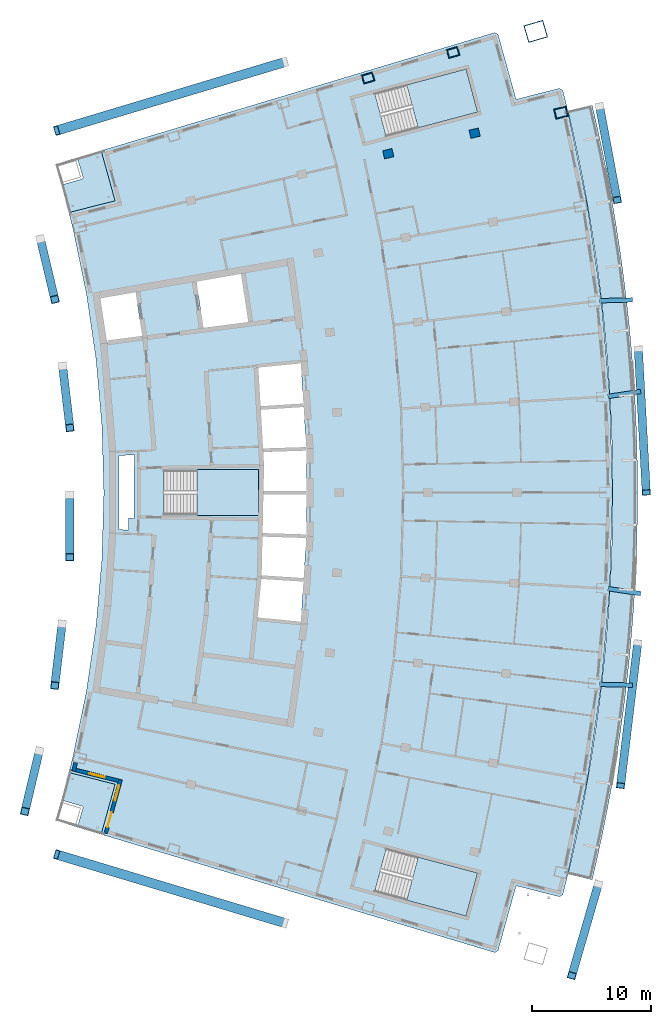
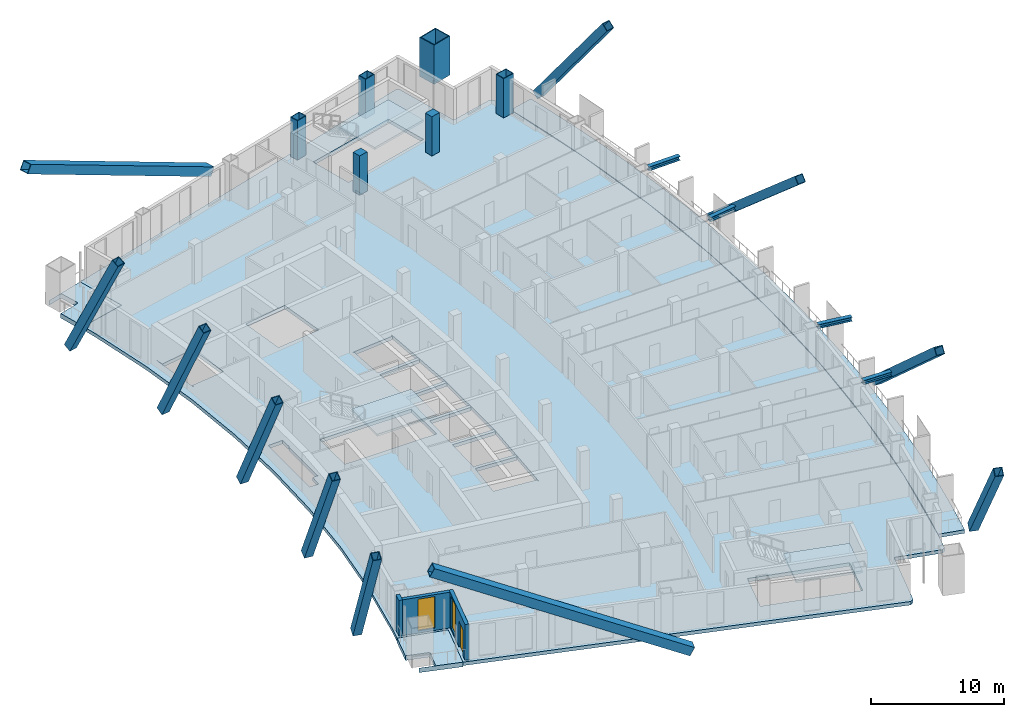
# One storey, part 8 of 19: 15 members, 7 slabs, 6 columns, 3 walls, 2 windows, 1 door, 3 openings, 3 elements without a shape of their own.
"""IFC4 building model written with IfcOpenShell, lengths in metres."""

from ifc_helpers import new_model, si_unit, direction, frame, frame_2d, origin, origin_2d, place, context, subcontext, project, spatial, polyline, rectangle, hollow_rectangle, i_section, outline, extrude, material, layer, layer_set, material_profile, profile_set, type_object, element, fill, aggregate, save


model = new_model("IFC4")

# Units and contexts
model_context = context("Model", 3, precision=1e-05, world=origin(), true_north=direction((0.0, 1.0)))
body_context = subcontext(model_context, "Body", "Model", "MODEL_VIEW")
ifc_project = project(units=[si_unit("LENGTHUNIT", "METRE"), si_unit("AREAUNIT", "SQUARE_METRE"), si_unit("VOLUMEUNIT", "CUBIC_METRE"), si_unit("PLANEANGLEUNIT", "RADIAN"), si_unit("MASSUNIT", "GRAM", prefix="KILO")], contexts=[model_context])

# Site, building, storey
site_placement = place(None, origin())
site = spatial("IfcSite", under=ifc_project, at=site_placement, CompositionType="ELEMENT")
building_placement = place(site_placement, origin())
building = spatial("IfcBuilding", under=site, at=building_placement, Name="Alderwake Tower", CompositionType="ELEMENT")
storey_placement = place(building_placement, frame((0.0, 0.0, 200.0)))
storey = spatial("IfcBuildingStorey", under=building, at=storey_placement, Name="L49", CompositionType="ELEMENT", Elevation=200.0)

# Columns
ifc_material_1 = material(Name="Steel ASTM A572 Grade 50 concrete filled C70/85", Category="concrete")
ifc_material_profile_1 = material_profile(ifc_material_1, hollow_rectangle(XDim=0.75, YDim=0.949951171875, WallThickness=0.054931640625, at=origin_2d()), Name="BOX 950X750X55")
ifc_profile_set_1 = profile_set([ifc_material_profile_1], Name="Steel ASTM A572 Grade 50 concrete filled C70/85")
column_type_1 = type_object("IfcColumnType", Name="End column Z4", PredefinedType="COLUMN", material=ifc_profile_set_1)
for number, where, z_axis, x_axis, name in (
    (1, (38.231689453125, 95.8701171875, 0.0), (0.0, 0.0, 1.0), (-0.282883890943, 0.959154160834, 0.0), "Column R12-C3"),
    (2, (45.383056640625, 98.01708984375, 0.0), (0.0, 0.0, 1.0), (-0.283150052378, 0.959075621543, 0.0), "Column R12-C4"),
):
    element("IfcColumn", number, at=place(storey_placement, frame(where, z_axis=z_axis, x_axis=x_axis)), inside=storey, type_object=column_type_1, Name=name, PredefinedType="COLUMN", context=body_context, shape_type="SweptSolid", body=[
        extrude(hollow_rectangle(XDim=0.75, YDim=0.949951171875, WallThickness=0.054931640625, at=origin_2d()), origin(), (0.0, 0.0, 1.0), 3.60009765625),
    ])
ifc_material_2 = material(Name="Concrete C70/85", Category="concrete")
ifc_material_profile_2 = material_profile(ifc_material_2, rectangle(XDim=0.699951171875, YDim=0.800048828125, at=origin_2d()), Name="RC 800X700")
ifc_profile_set_2 = profile_set([ifc_material_profile_2], Name="Concrete C70/85")
column_type_2 = type_object("IfcColumnType", Name="Interior column Z4", PredefinedType="COLUMN", material=ifc_profile_set_2)
for number, where, z_axis, x_axis, name in (
    (3, (39.92626953125, 89.501953125, 0.0), (0.0, 0.0, 1.0), (-0.231221547198, 0.972901123502, 0.0), "Column R11-C3"),
    (4, (47.190673828125, 91.228515625, 0.0), (0.0, 0.0, 1.0), (-0.231221547198, 0.972901123502, 0.0), "Column R11-C4"),
):
    element("IfcColumn", number, at=place(storey_placement, frame(where, z_axis=z_axis, x_axis=x_axis)), inside=storey, type_object=column_type_2, Name=name, PredefinedType="COLUMN", context=body_context, shape_type="SweptSolid", body=[
        extrude(rectangle(XDim=0.699951171875, YDim=0.800048828125, at=origin_2d()), origin(), (0.0, 0.0, 1.0), 3.60009765625),
    ])
ifc_material_3 = material(Name="Steel ASTM A572 Grade 50 concrete filled C70/85", Category="concrete")
ifc_material_profile_3 = material_profile(ifc_material_3, hollow_rectangle(XDim=1.5, YDim=1.699951171875, WallThickness=0.074951171875, at=origin_2d()), Name="BOX 1700X1500X75")
ifc_profile_set_3 = profile_set([ifc_material_profile_3], Name="Steel ASTM A572 Grade 50 concrete filled C70/85")
column_type_3 = type_object("IfcColumnType", Name="Mega column Z4", PredefinedType="COLUMN", material=ifc_profile_set_3)
column_1_placement = place(storey_placement, frame((52.331298828125, 99.7919921875, 0.0), z_axis=(0.0, 0.0, 1.0), x_axis=(-0.281304888972, 0.959618444717, 0.0)))
element("IfcColumn", 5, at=column_1_placement, inside=storey, type_object=column_type_3, Name="Column R12-C5", PredefinedType="COLUMN", context=body_context, shape_type="SweptSolid", body=[
    extrude(hollow_rectangle(XDim=1.5, YDim=1.699951171875, WallThickness=0.074951171875, at=origin_2d()), origin(), (0.0, 0.0, 1.0), 3.60009765625),
])
ifc_material_4 = material(Name="Steel ASTM A572 Grade 50 concrete filled C70/85", Category="concrete")
ifc_material_profile_4 = material_profile(ifc_material_4, hollow_rectangle(XDim=0.85009765625, YDim=1.050048828125, WallThickness=0.054931640625, at=origin_2d()), Name="BOX 1050X850X55")
ifc_profile_set_4 = profile_set([ifc_material_profile_4], Name="Steel ASTM A572 Grade 50 concrete filled C70/85")
column_type_4 = type_object("IfcColumnType", Name="Perimeter column Z4", PredefinedType="COLUMN", material=ifc_profile_set_4)
column_2_placement = place(storey_placement, frame((54.454833984375, 92.954833984375, 0.0), z_axis=(0.0, 0.0, 1.0), x_axis=(-0.231221547198, 0.972901123502, 0.0)))
element("IfcColumn", 6, at=column_2_placement, inside=storey, type_object=column_type_4, Name="Column R11-C5", PredefinedType="COLUMN", context=body_context, shape_type="SweptSolid", body=[
    extrude(hollow_rectangle(XDim=0.85009765625, YDim=1.050048828125, WallThickness=0.054931640625, at=origin_2d()), origin(), (0.0, 0.0, 1.0), 3.60009765625),
])

# Members
ifc_material_5 = material(Name="Steel ASTM A992 Grade 50", Category="steel")
ifc_material_profile_5 = material_profile(ifc_material_5, i_section(OverallWidth=0.3740234375, OverallDepth=0.372314453125, WebThickness=0.016357421875, FlangeThickness=0.026123046875, at=origin_2d()), Name="W14X132")
ifc_profile_set_5 = profile_set([ifc_material_profile_5], Name="Steel ASTM A992 Grade 50")
member_type_1 = type_object("IfcMemberType", Name="Brace node stub W14X132", PredefinedType="MEMBER", material=ifc_profile_set_5)
for number, where, z_axis, x_axis, name in (
    (7, (58.43896484375, 52.912109375, 3.393798828125), (0.988559666565, -0.150830320693, 0.0), (0.150830320693, 0.988559666565, 0.0), "Brace node stub BS.FR06-C5.2036"),
    (8, (57.732666015625, 44.861083984375, 3.393798828125), (0.999721478881, -0.023600098809, 0.0), (0.023600098809, 0.999721478881, 0.0), "Brace node stub BS.FR05-C5.2036"),
    (9, (57.732666015625, 77.138916015625, 3.393798828125), (0.999721478881, 0.023600098809, 0.0), (-0.023600098809, 0.999721478881, 0.0), "Brace node stub BS.FR09-C5.2036"),
    (10, (58.43896484375, 69.087890625, 3.393798828125), (0.988559666565, 0.150830320693, 0.0), (-0.150830320693, 0.988559666565, 0.0), "Brace node stub BS.FR08-C5.2036"),
):
    element("IfcMember", number, at=place(storey_placement, frame(where, z_axis=z_axis, x_axis=x_axis)), inside=storey, type_object=member_type_1, Name=name, PredefinedType="MEMBER", context=body_context, shape_type="SweptSolid", body=[
        extrude(i_section(OverallWidth=0.3740234375, OverallDepth=0.372314453125, WebThickness=0.016357421875, FlangeThickness=0.026123046875, at=origin_2d()), origin(), (0.0, 0.0, 1.0), 2.751708984375),
    ])
ifc_material_6 = material(Name="Steel ASTM A572 Grade 50", Category="steel")
ifc_material_profile_6 = material_profile(ifc_material_6, hollow_rectangle(XDim=0.800048828125, YDim=0.800048828125, WallThickness=0.050048828125, at=origin_2d()), Name="BOX 800X800X50")
ifc_profile_set_6 = profile_set([ifc_material_profile_6], Name="Steel ASTM A572 Grade 50")
member_type_2 = type_object("IfcMemberType", Name="Mega brace end Z4", PredefinedType="BRACE", material=ifc_profile_set_6)
for number, where, z_axis, x_axis, name in (
    (11, (31.249755859375, 24.780517578125, 0.330810546875), (-0.849142506905, 0.254936915754, 0.462562614089), (-0.287548797932, -0.957765988542, 0.0), "Brace BRS4.1.0B2"),
    (12, (31.249755859375, 97.219482421875, 0.330810546875), (-0.849142506905, -0.254936915754, 0.462562614089), (0.287548797932, -0.957765988542, 0.0), "Brace BRN4.1.0B2"),
):
    element("IfcMember", number, at=place(storey_placement, frame(where, z_axis=z_axis, x_axis=x_axis)), inside=storey, type_object=member_type_2, Name=name, PredefinedType="BRACE", context=body_context, shape_type="SweptSolid", body=[
        extrude(hollow_rectangle(XDim=0.800048828125, YDim=0.800048828125, WallThickness=0.050048828125, at=origin_2d()), origin(), (0.0, 0.0, 1.0), 22.633056640625),
    ])
ifc_material_7 = material(Name="Steel ASTM A572 Grade 50", Category="steel")
ifc_material_profile_7 = material_profile(ifc_material_7, hollow_rectangle(XDim=0.699951171875, YDim=0.699951171875, WallThickness=0.044921875, at=origin_2d()), Name="BOX 700X700X45")
ifc_profile_set_7 = profile_set([ifc_material_profile_7], Name="Steel ASTM A572 Grade 50")
member_type_3 = type_object("IfcMemberType", Name="Mega brace face Z4", PredefinedType="BRACE", material=ifc_profile_set_7)
member_1_placement = place(storey_placement, frame((57.59765625, 28.0693359375, 0.321533203125), z_axis=(-0.169055727573, -0.58413008014, 0.793859062082), x_axis=(0.960579442016, -0.278005639468, 0.0)))
element("IfcMember", 13, at=member_1_placement, inside=storey, type_object=member_type_3, Name="Brace BRF4.1.2B2", PredefinedType="BRACE", context=body_context, shape_type="SweptSolid", body=[
    extrude(hollow_rectangle(XDim=0.699951171875, YDim=0.699951171875, WallThickness=0.044921875, at=origin_2d()), origin(), (0.0, 0.0, 1.0), 13.199462890625),
])
for number, where, z_axis, x_axis, name in (
    (14, (60.913330078125, 48.3671875, 0.265869140625), (-0.090126630333, -0.749164307048, 0.656224071145), (0.992841220039, -0.119441666902, 0.0), "Brace BRF4.1.4B2"),
    (15, (60.96044921875, 73.09423828125, 0.265869140625), (0.041702363789, -0.7534105388, 0.656226693208), (0.99847161971, 0.055266849313, 0.0), "Brace BRF4.1.7B2"),
):
    element("IfcMember", number, at=place(storey_placement, frame(where, z_axis=z_axis, x_axis=x_axis)), inside=storey, type_object=member_type_3, Name=name, PredefinedType="BRACE", context=body_context, shape_type="SweptSolid", body=[
        extrude(hollow_rectangle(XDim=0.699951171875, YDim=0.699951171875, WallThickness=0.044921875, at=origin_2d()), origin(), (0.0, 0.0, 1.0), 16.052734375),
    ])
member_2_placement = place(storey_placement, frame((57.70068359375, 93.497314453125, 0.321533203125), z_axis=(0.111828734526, -0.597726990561, 0.793861939438), x_axis=(0.982945109831, 0.183899187215, 0.0)))
element("IfcMember", 16, at=member_2_placement, inside=storey, type_object=member_type_3, Name="Brace BRF4.1.10B2", PredefinedType="BRACE", context=body_context, shape_type="SweptSolid", body=[
    extrude(hollow_rectangle(XDim=0.699951171875, YDim=0.699951171875, WallThickness=0.044921875, at=origin_2d()), origin(), (0.0, 0.0, 1.0), 13.199462890625),
])
member_3_placement = place(storey_placement, frame((10.571533203125, 39.27099609375, 0.39306640625), z_axis=(-0.104005869599, -0.437625019805, 0.893122119942), x_axis=(0.972901589623, -0.231219585909, 0.0)))
element("IfcMember", 17, at=member_3_placement, inside=storey, type_object=member_type_3, Name="Brace BRR4.1.2B2", PredefinedType="BRACE", context=body_context, shape_type="SweptSolid", body=[
    extrude(hollow_rectangle(XDim=0.699951171875, YDim=0.699951171875, WallThickness=0.044921875, at=origin_2d()), origin(), (0.0, 0.0, 1.0), 11.65234375),
])
member_4_placement = place(storey_placement, frame((12.485107421875, 49.961669921875, 0.39306640625), z_axis=(-0.05235854568, -0.446776161698, 0.893112335618), x_axis=(0.993202962699, -0.116395338763, 0.0)))
element("IfcMember", 18, at=member_4_placement, inside=storey, type_object=member_type_3, Name="Brace BRR4.1.4B2", PredefinedType="BRACE", context=body_context, shape_type="SweptSolid", body=[
    extrude(hollow_rectangle(XDim=0.699951171875, YDim=0.699951171875, WallThickness=0.044921875, at=origin_2d()), origin(), (0.0, 0.0, 1.0), 11.652587890625),
])
for number, where, z_axis, x_axis, name in (
    (19, (13.141357421875, 60.802001953125, 0.39306640625), (0.0, -0.449818123353, 0.893120179989), (1.0, 0.0, 0.0), "Brace BRR4.1.6B2"),
    (20, (12.53125, 71.645263671875, 0.39306640625), (0.052359035792, -0.44675939183, 0.893120695753), (0.993202331639, 0.11640072348, 0.0), "Brace BRR4.1.8B2"),
    (21, (10.6630859375, 82.34375, 0.39306640625), (0.104005869599, -0.437625019805, 0.893122119942), (0.972901589623, 0.231219585909, 0.0), "Brace BRR4.1.10B2"),
):
    element("IfcMember", number, at=place(storey_placement, frame(where, z_axis=z_axis, x_axis=x_axis)), inside=storey, type_object=member_type_3, Name=name, PredefinedType="BRACE", context=body_context, shape_type="SweptSolid", body=[
        extrude(hollow_rectangle(XDim=0.699951171875, YDim=0.699951171875, WallThickness=0.044921875, at=origin_2d()), origin(), (0.0, 0.0, 1.0), 11.65234375),
    ])

# Slabs
ifc_material_8 = material(Name="Concrete C50/60", Category="concrete")
ifc_layer_1 = layer(ifc_material_8, 0.320068359375)
ifc_layer_set_1 = layer_set([ifc_layer_1], Name="Balcony slab 320")
slab_type_1 = type_object("IfcSlabType", Name="Balcony slab 320", PredefinedType="FLOOR", material=ifc_layer_set_1)
slab_1_placement = place(storey_placement, frame((0.0, 0.0, -0.320068359375)))
element("IfcSlab", 22, at=slab_1_placement, inside=storey, type_object=slab_type_1, Name="Balcony BF03", PredefinedType="FLOOR", context=body_context, shape_type="SweptSolid", body=[
    extrude(outline(polyline([(57.081787109375, 28.4208984375), (57.542236328125, 30.42333984375), (57.973388671875, 32.432373046875), (58.37548828125, 34.447509765625), (58.748046875, 36.46826171875), (59.091064453125, 38.494140625), (59.404296875, 40.52490234375), (59.68798828125, 42.559814453125), (59.942138671875, 44.598876953125), (60.16650390625, 46.641357421875), (60.361083984375, 48.68701171875), (60.525634765625, 50.735107421875), (60.660400390625, 52.785400390625), (60.76513671875, 54.837646484375), (60.840087890625, 56.89111328125), (60.885009765625, 58.9453125), (60.89990234375, 61.0), (60.885009765625, 63.0546875), (60.840087890625, 65.10888671875), (60.76513671875, 67.162353515625), (60.660400390625, 69.214599609375), (60.525634765625, 71.264892578125), (60.361083984375, 73.31298828125), (60.16650390625, 75.358642578125), (59.942138671875, 77.401123046875), (59.68798828125, 79.440185546875), (59.404296875, 81.47509765625), (59.091064453125, 83.505859375), (58.748046875, 85.53173828125), (58.37548828125, 87.552490234375), (57.973388671875, 89.567626953125), (57.542236328125, 91.57666015625), (57.081787109375, 93.5791015625), (55.038818359375, 93.093505859375), (55.4921875, 91.120849609375), (55.917236328125, 89.141845703125), (56.31298828125, 87.15673828125), (56.679931640625, 85.166259765625), (57.017822265625, 83.17041015625), (57.32666015625, 81.169921875), (57.606201171875, 79.165283203125), (57.8564453125, 77.156494140625), (58.077392578125, 75.14453125), (58.26904296875, 73.12939453125), (58.43115234375, 71.11181640625), (58.56396484375, 69.092041015625), (58.667236328125, 67.070556640625), (58.740966796875, 65.0478515625), (58.78515625, 63.024169921875), (58.800048828125, 61.0), (58.78515625, 58.975830078125), (58.740966796875, 56.9521484375), (58.667236328125, 54.929443359375), (58.56396484375, 52.907958984375), (58.43115234375, 50.88818359375), (58.26904296875, 48.87060546875), (58.077392578125, 46.85546875), (57.8564453125, 44.843505859375), (57.606201171875, 42.834716796875), (57.32666015625, 40.830078125), (57.017822265625, 38.82958984375), (56.679931640625, 36.833740234375), (56.31298828125, 34.84326171875), (55.917236328125, 32.858154296875), (55.4921875, 30.879150390625), (55.038818359375, 28.906494140625), (57.081787109375, 28.4208984375)])), origin(), (0.0, 0.0, 1.0), 0.320068359375),
])
ifc_material_9 = material(Name="Concrete C50/60", Category="concrete")
ifc_layer_2 = layer(ifc_material_9, 0.320068359375)
ifc_layer_set_2 = layer_set([ifc_layer_2], Name="Concrete C50/60 post-tensioned flat plate 320")
slab_type_2 = type_object("IfcSlabType", Name="Concrete C50/60 post-tensioned flat plate 320", PredefinedType="FLOOR", material=ifc_layer_set_2)
slab_2_placement = place(storey_placement, frame((0.0, 0.0, -0.320068359375)))
element("IfcSlab", 23, at=slab_2_placement, inside=storey, type_object=slab_type_2, Name="Floor slab L49", PredefinedType="FLOOR", context=body_context, shape_type="SweptSolid", body=[
    extrude(outline(polyline([(13.06494140625, 37.443115234375), (13.3984375, 38.802734375), (14.53369140625, 44.28564453125), (15.347412109375, 49.825439453125), (15.836669921875, 55.4033203125), (16.0, 61.0), (15.836669921875, 66.5966796875), (15.347412109375, 72.174560546875), (14.53369140625, 77.71435546875), (13.3984375, 83.197265625), (13.06494140625, 84.556884765625), (16.942626953125, 85.53857421875), (15.776611328125, 89.7548828125), (48.88671875, 99.695556640625), (49.168212890625, 99.539794921875), (50.6787109375, 94.077880859375), (54.333251953125, 95.0029296875), (54.611083984375, 94.8359375), (55.038818359375, 93.093505859375), (56.679931640625, 85.166259765625), (57.8564453125, 77.156494140625), (58.56396484375, 69.092041015625), (58.800048828125, 61.0), (58.56396484375, 52.907958984375), (57.8564453125, 44.843505859375), (56.679931640625, 36.833740234375), (55.038818359375, 28.906494140625), (54.611083984375, 27.1640625), (54.333251953125, 26.9970703125), (50.6787109375, 27.922119140625), (49.168212890625, 22.460205078125), (48.88671875, 22.304443359375), (15.776611328125, 32.2451171875), (16.942626953125, 36.46142578125), (13.06494140625, 37.443115234375)]), holes=[polyline([(29.25732421875, 53.7685546875), (28.939697265625, 50.49072265625), (32.546875, 50.1376953125), (32.5322265625, 49.988525390625), (32.562255859375, 49.985595703125), (32.80126953125, 53.654541015625), (33.0400390625, 57.323486328125), (33.0400390625, 61.0), (33.0400390625, 64.676513671875), (32.80126953125, 68.345458984375), (32.562255859375, 72.014404296875), (32.532470703125, 72.011474609375), (32.547119140625, 71.8623046875), (28.886962890625, 71.50390625), (28.88720703125, 71.50048828125), (28.99462890625, 71.506591796875), (29.184814453125, 68.26025390625), (32.761474609375, 68.4931640625), (32.771240234375, 68.343505859375), (32.781005859375, 68.19384765625), (29.2021484375, 67.960693359375), (29.392578125, 64.7080078125), (33.005126953125, 64.82568359375), (33.010009765625, 64.67578125), (33.014892578125, 64.525634765625), (29.41015625, 64.408447265625), (29.4765625, 63.27685546875), (29.429443359375, 61.14990234375), (33.010009765625, 61.14990234375), (33.010009765625, 61.0), (33.010009765625, 60.85009765625), (29.4228515625, 60.85009765625), (29.350830078125, 57.593505859375), (33.014892578125, 57.474365234375), (33.010009765625, 57.32421875), (33.005126953125, 57.17431640625), (29.34423828125, 57.29345703125), (29.2705078125, 53.9697265625), (29.274169921875, 53.969482421875), (29.2783203125, 54.0341796875), (32.781005859375, 53.80615234375), (32.771240234375, 53.656494140625), (32.761474609375, 53.5068359375), (29.2587890625, 53.73486328125), (29.260986328125, 53.768310546875), (29.25732421875, 53.7685546875)]), polyline([(21.050048828125, 62.875), (21.050048828125, 59.125), (29.0, 59.125), (29.0, 62.875), (21.050048828125, 62.875)]), polyline([(15.64111328125, 77.91015625), (15.487060546875, 77.8828125), (15.487548828125, 77.879150390625), (15.617919921875, 77.899169921875), (16.280029296875, 73.5927734375), (16.31005859375, 73.5966796875), (16.2841796875, 73.794921875), (19.224853515625, 74.1796875), (18.673095703125, 77.842041015625), (18.869140625, 77.87158203125), (18.8671875, 77.8837890625), (15.740234375, 77.340087890625), (15.64111328125, 77.91015625)]), polyline([(27.538330078125, 79.39111328125), (23.794921875, 78.740478515625), (24.384033203125, 74.8583984375), (24.36865234375, 74.856201171875), (24.369140625, 74.8525390625), (28.152587890625, 75.347412109375), (27.538330078125, 79.39111328125)]), polyline([(47.436279296875, 28.996826171875), (39.754150390625, 31.043212890625), (38.7890625, 27.41943359375), (46.47119140625, 25.373291015625), (47.436279296875, 28.996826171875)]), polyline([(46.47119140625, 96.626708984375), (38.7890625, 94.58056640625), (39.754150390625, 90.956787109375), (47.436279296875, 93.003173828125), (46.47119140625, 96.626708984375)]), polyline([(17.289306640625, 64.118408203125), (17.289306640625, 57.881591796875), (18.06298828125, 57.85400390625), (18.090576171875, 58.84375), (18.544189453125, 58.831298828125), (18.529296875, 58.8681640625), (18.5234375, 58.891845703125), (18.5185546875, 58.940673828125), (18.5185546875, 63.060302734375), (18.5234375, 63.109130859375), (18.53759765625, 63.156005859375), (18.560791015625, 63.19921875), (18.588623046875, 63.2333984375), (18.562744140625, 64.16357421875), (17.289306640625, 64.118408203125)])]), origin(), (0.0, 0.0, 1.0), 0.320068359375),
])

# Stair, slab
ifc_material_10 = material(Name="Concrete C40/50", Category="concrete")
stair_type = type_object("IfcStairType", Name="Core exit stair", PredefinedType="HALF_TURN_STAIR", material=ifc_material_10)
stair_1_placement = place(storey_placement, origin())
stair_1 = element("IfcStair", 24, at=stair_1_placement, inside=storey, type_object=stair_type, Name="L49 Exit Stair B", PredefinedType="HALF_TURN_STAIR")
ifc_material_11 = material(Name="Concrete C40/50", Category="concrete")
ifc_layer_3 = layer(ifc_material_11, 0.199951171875)
ifc_layer_set_3 = layer_set([ifc_layer_3], Name="Core stair landing 200")
slab_type_3 = type_object("IfcSlabType", Name="Core stair landing 200", PredefinedType="LANDING", material=ifc_layer_set_3)
slab_3_placement = place(storey_placement, frame((0.0, 0.0, 1.60009765625)))
slab_3 = element("IfcSlab", 25, at=slab_3_placement, type_object=slab_type_3, Name="ST-B landing 1", PredefinedType="LANDING", context=body_context, shape_type="SweptSolid", body=[
    extrude(outline(polyline([(23.830078125, 59.074951171875), (29.0, 59.074951171875), (29.0, 62.925048828125), (23.830078125, 62.925048828125), (23.830078125, 59.074951171875)])), origin(), (0.0, 0.0, 1.0), 0.199951171875),
])
aggregate(stair_1, [slab_3])

stair_2_placement = place(storey_placement, origin())
stair_2 = element("IfcStair", 26, at=stair_2_placement, inside=storey, type_object=stair_type, Name="L49 Exit Stair A", PredefinedType="HALF_TURN_STAIR")
slab_4_placement = place(storey_placement, frame((0.0, 0.0, 1.60009765625)))
slab_4 = element("IfcSlab", 27, at=slab_4_placement, type_object=slab_type_3, Name="ST-A landing 1", PredefinedType="LANDING", context=body_context, shape_type="SweptSolid", body=[
    extrude(outline(polyline([(42.440673828125, 91.67236328125), (47.436279296875, 93.003173828125), (46.47119140625, 96.626708984375), (41.475341796875, 95.296142578125), (42.440673828125, 91.67236328125)])), origin(), (0.0, 0.0, 1.0), 0.199951171875),
])
aggregate(stair_2, [slab_4])

stair_3_placement = place(storey_placement, origin())
stair_3 = element("IfcStair", 28, at=stair_3_placement, inside=storey, type_object=stair_type, Name="L49 Exit Stair C", PredefinedType="HALF_TURN_STAIR")
slab_5_placement = place(storey_placement, frame((0.0, 0.0, 1.60009765625)))
slab_5 = element("IfcSlab", 29, at=slab_5_placement, type_object=slab_type_3, Name="ST-C landing 1", PredefinedType="LANDING", context=body_context, shape_type="SweptSolid", body=[
    extrude(outline(polyline([(41.475341796875, 26.703857421875), (46.47119140625, 25.373291015625), (47.436279296875, 28.996826171875), (42.4404296875, 30.32763671875), (41.475341796875, 26.703857421875)])), origin(), (0.0, 0.0, 1.0), 0.199951171875),
])
aggregate(stair_3, [slab_5])

# Slabs
ifc_material_12 = material(Name="Concrete C50/60", Category="concrete")
ifc_layer_4 = layer(ifc_material_12, 0.419921875)
ifc_layer_set_4 = layer_set([ifc_layer_4], Name="Terrace slab 420")
slab_type_4 = type_object("IfcSlabType", Name="Terrace slab 420", PredefinedType="FLOOR", material=ifc_layer_set_4)
slab_6_placement = place(storey_placement, frame((0.0, 0.0, -0.419921875)))
element("IfcSlab", 30, at=slab_6_placement, inside=storey, type_object=slab_type_4, Name="Corner terrace RS", PredefinedType="FLOOR", context=body_context, shape_type="SweptSolid", body=[
    extrude(outline(polyline([(15.776611328125, 32.2451171875), (12.517333984375, 33.2236328125), (13.628662109375, 32.901123046875), (13.64306640625, 32.897705078125), (13.65771484375, 32.895751953125), (13.67236328125, 32.895263671875), (13.68701171875, 32.896240234375), (13.701416015625, 32.8984375), (13.7158203125, 32.90234375), (13.7294921875, 32.907470703125), (13.742919921875, 32.913818359375), (13.75537109375, 32.921630859375), (13.76708984375, 32.930419921875), (13.77783203125, 32.9404296875), (13.78759765625, 32.951416015625), (13.796142578125, 32.96337890625), (13.8037109375, 32.976318359375), (13.809814453125, 32.989501953125), (13.814453125, 33.00341796875), (14.232421875, 34.444091796875), (14.23583984375, 34.45849609375), (14.23779296875, 34.472900390625), (14.23828125, 34.48779296875), (14.237548828125, 34.50244140625), (14.235107421875, 34.516845703125), (14.2314453125, 34.53125), (14.226318359375, 34.544921875), (14.2197265625, 34.55810546875), (14.212158203125, 34.57080078125), (14.203125, 34.58251953125), (14.193115234375, 34.59326171875), (14.18212890625, 34.60302734375), (14.170166015625, 34.611572265625), (14.157470703125, 34.618896484375), (14.14404296875, 34.625244140625), (14.130126953125, 34.6298828125), (12.49755859375, 35.103515625), (12.483154296875, 35.10693359375), (12.468505859375, 35.10888671875), (12.453857421875, 35.109619140625), (12.4404296875, 35.108642578125), (12.71142578125, 36.08837890625), (13.06494140625, 37.443115234375), (16.942626953125, 36.46142578125), (15.776611328125, 32.2451171875)])), origin(), (0.0, 0.0, 1.0), 0.419921875),
])
slab_7_placement = place(storey_placement, frame((0.0, 0.0, -0.419921875)))
element("IfcSlab", 31, at=slab_7_placement, inside=storey, type_object=slab_type_4, Name="Corner terrace RN", PredefinedType="FLOOR", context=body_context, shape_type="SweptSolid", body=[
    extrude(outline(polyline([(12.4404296875, 86.891357421875), (12.453857421875, 86.890380859375), (12.468505859375, 86.89111328125), (12.483154296875, 86.89306640625), (12.49755859375, 86.896484375), (14.130126953125, 87.3701171875), (14.14404296875, 87.374755859375), (14.157470703125, 87.381103515625), (14.170166015625, 87.388427734375), (14.18212890625, 87.39697265625), (14.193115234375, 87.40673828125), (14.203125, 87.41748046875), (14.212158203125, 87.42919921875), (14.2197265625, 87.44189453125), (14.226318359375, 87.455078125), (14.2314453125, 87.46875), (14.235107421875, 87.483154296875), (14.237548828125, 87.49755859375), (14.23828125, 87.51220703125), (14.23779296875, 87.527099609375), (14.23583984375, 87.54150390625), (14.232421875, 87.555908203125), (13.814453125, 88.99658203125), (13.809814453125, 89.010498046875), (13.8037109375, 89.023681640625), (13.796142578125, 89.03662109375), (13.78759765625, 89.048583984375), (13.77783203125, 89.0595703125), (13.76708984375, 89.069580078125), (13.75537109375, 89.078369140625), (13.742919921875, 89.086181640625), (13.7294921875, 89.092529296875), (13.7158203125, 89.09765625), (13.701416015625, 89.1015625), (13.68701171875, 89.103759765625), (13.67236328125, 89.104736328125), (13.65771484375, 89.104248046875), (13.64306640625, 89.102294921875), (13.628662109375, 89.098876953125), (12.517333984375, 88.7763671875), (15.776611328125, 89.7548828125), (16.942626953125, 85.53857421875), (13.06494140625, 84.556884765625), (12.71142578125, 85.91162109375), (12.4404296875, 86.891357421875)])), origin(), (0.0, 0.0, 1.0), 0.419921875),
])

# Wall
ifc_material_13 = material(Name="Precast concrete C50/60 spandrel panel", Category="concrete")
ifc_layer_5 = layer(ifc_material_13, 0.300048828125)
ifc_layer_set_5 = layer_set([ifc_layer_5], Name="External wall EW1 Precast concrete C50/60 spandrel")
wall_type_1 = type_object("IfcWallType", Name="External wall EW1 Precast concrete C50/60 spandrel", PredefinedType="SOLIDWALL", material=ifc_layer_set_5)
wall_1_placement = place(storey_placement, frame((13.63720703125, 38.30712890625, 0.0), z_axis=(0.0, 0.0, 1.0), x_axis=(-0.23817684901, -0.971221801957, 0.0)))
element("IfcWall", 32, at=wall_1_placement, inside=storey, type_object=wall_type_1, Name="External wall 1", PredefinedType="SOLIDWALL", context=body_context, shape_type="SweptSolid", body=[
    extrude(rectangle(XDim=0.778076171875, YDim=0.300048828125, at=frame_2d((0.38916015625, 0.0))), origin(), (0.0, 0.0, 1.0), 3.280029296875),
])

# Wall, opening, window
ifc_material_14 = material(Name="Bronze metal cladding on lightweight framing")
ifc_layer_6 = layer(ifc_material_14, 0.300048828125)
ifc_layer_set_6 = layer_set([ifc_layer_6], Name="External wall EW2 bronze metal cladding")
wall_type_2 = type_object("IfcWallType", Name="External wall EW2 bronze metal cladding", PredefinedType="SOLIDWALL", material=ifc_layer_set_6)
wall_2_placement = place(storey_placement, frame((13.633056640625, 37.660400390625, 0.0), z_axis=(0.0, 0.0, 1.0), x_axis=(0.969417366605, -0.245417948254, 0.0)))
wall_2 = element("IfcWall", 33, at=wall_2_placement, inside=storey, type_object=wall_type_2, Name="External wall 2", PredefinedType="SOLIDWALL", context=body_context, shape_type="SweptSolid", body=[
    extrude(rectangle(XDim=3.70556640625, YDim=0.300048828125, at=frame_2d((1.852783203125, 0.0))), origin(), (0.0, 0.0, 1.0), 3.280029296875),
])
opening_1_placement = place(wall_2_placement, frame((1.202880859375, 0.0, 0.199951171875)))
opening_1 = element("IfcOpeningElement", 34, at=opening_1_placement, cuts=wall_2, Name="Opening W1", PredefinedType="OPENING", context=body_context, shape_type="SweptSolid", body=[
    extrude(rectangle(XDim=1.300048828125, YDim=2.89990234375, at=frame_2d((0.64990234375, 1.449951171875))), frame((0.0, 0.159912109375, 0.0), z_axis=(0.0, -1.0, 0.0), x_axis=(1.0, 0.0, 0.0)), (0.0, 0.0, 1.0), 0.320068359375),
])
ifc_material_15 = material(Name="Bronze tinted glass in aluminium frame", Category="aluminium")
window_type = type_object("IfcWindowType", Name="Window W1 tall fixed and vent", PartitioningType="DOUBLE_PANEL_VERTICAL", PredefinedType="WINDOW", material=ifc_material_15)
window_1_placement = place(opening_1_placement, origin())
window_1 = element("IfcWindow", 35, at=window_1_placement, inside=storey, type_object=window_type, Name="Window W1 tall fixed and vent", OverallHeight=2.89990234375, OverallWidth=1.300048828125, PartitioningType="DOUBLE_PANEL_VERTICAL", PredefinedType="WINDOW", context=body_context, shape_type="SweptSolid", body=[
    extrude(rectangle(XDim=1.300048828125, YDim=2.89990234375, at=frame_2d((0.64990234375, 1.449951171875))), frame((0.0, 0.030029296875, 0.0), z_axis=(0.0, -1.0, 0.0), x_axis=(1.0, 0.0, 0.0)), (0.0, 0.0, 1.0), 0.06005859375),
])
fill(opening_1, window_1)

# Wall, openings, door, window
wall_3_placement = place(storey_placement, frame((17.410400390625, 36.85888671875, 0.0), z_axis=(0.0, 0.0, 1.0), x_axis=(-0.264592640785, -0.96436027212, 0.0)))
wall_3 = element("IfcWall", 36, at=wall_3_placement, inside=storey, type_object=wall_type_2, Name="External wall 3", PredefinedType="SOLIDWALL", context=body_context, shape_type="SweptSolid", body=[
    extrude(rectangle(XDim=4.690185546875, YDim=0.300048828125, at=frame_2d((2.34521484375, 0.0))), origin(), (0.0, 0.0, 1.0), 3.280029296875),
])
opening_2_placement = place(wall_3_placement, frame((0.5224609375, 0.0, 0.199951171875)))
opening_2 = element("IfcOpeningElement", 37, at=opening_2_placement, cuts=wall_3, Name="Opening W1", PredefinedType="OPENING", context=body_context, shape_type="SweptSolid", body=[
    extrude(rectangle(XDim=1.300048828125, YDim=2.89990234375, at=frame_2d((0.64990234375, 1.449951171875))), frame((0.0, 0.159912109375, 0.0), z_axis=(0.0, -1.0, 0.0), x_axis=(1.0, 0.0, 0.0)), (0.0, 0.0, 1.0), 0.320068359375),
])
opening_3_placement = place(wall_3_placement, frame((2.867431640625, 0.0, 0.0)))
opening_3 = element("IfcOpeningElement", 38, at=opening_3_placement, cuts=wall_3, Name="Opening D01", PredefinedType="OPENING", context=body_context, shape_type="SweptSolid", body=[
    extrude(rectangle(XDim=1.300048828125, YDim=2.39990234375, at=frame_2d((0.64990234375, 1.199951171875))), frame((0.0, 0.159912109375, 0.0), z_axis=(0.0, -1.0, 0.0), x_axis=(1.0, 0.0, 0.0)), (0.0, 0.0, 1.0), 0.320068359375),
])
ifc_material_16 = material(Name="Bronze tinted glass in aluminium frame", Category="aluminium")
door_type = type_object("IfcDoorType", Name="Balcony door BD sliding", OperationType="SLIDING_TO_LEFT", PredefinedType="DOOR", material=ifc_material_16)
door_placement = place(opening_3_placement, origin())
door = element("IfcDoor", 39, at=door_placement, inside=storey, type_object=door_type, Name="Door D01", OperationType="SLIDING_TO_LEFT", OverallHeight=2.39990234375, OverallWidth=1.300048828125, PredefinedType="DOOR", context=body_context, shape_type="SweptSolid", body=[
    extrude(rectangle(XDim=1.300048828125, YDim=2.39990234375, at=frame_2d((0.64990234375, 1.199951171875))), frame((0.0, 0.02490234375, 0.0), z_axis=(0.0, -1.0, 0.0), x_axis=(1.0, 0.0, 0.0)), (0.0, 0.0, 1.0), 0.050048828125),
])
fill(opening_3, door)
window_2_placement = place(opening_2_placement, origin())
window_2 = element("IfcWindow", 40, at=window_2_placement, inside=storey, type_object=window_type, Name="Window W1 tall fixed and vent", OverallHeight=2.89990234375, OverallWidth=1.300048828125, PartitioningType="DOUBLE_PANEL_VERTICAL", PredefinedType="WINDOW", context=body_context, shape_type="SweptSolid", body=[
    extrude(rectangle(XDim=1.300048828125, YDim=2.89990234375, at=frame_2d((0.64990234375, 1.449951171875))), frame((0.0, 0.030029296875, 0.0), z_axis=(0.0, -1.0, 0.0), x_axis=(1.0, 0.0, 0.0)), (0.0, 0.0, 1.0), 0.06005859375),
])
fill(opening_2, window_2)

save(model, "model.ifc")
